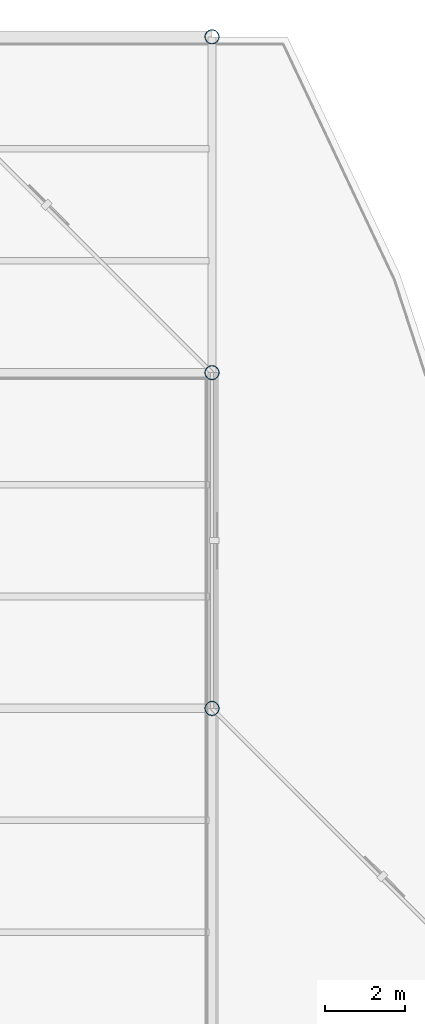
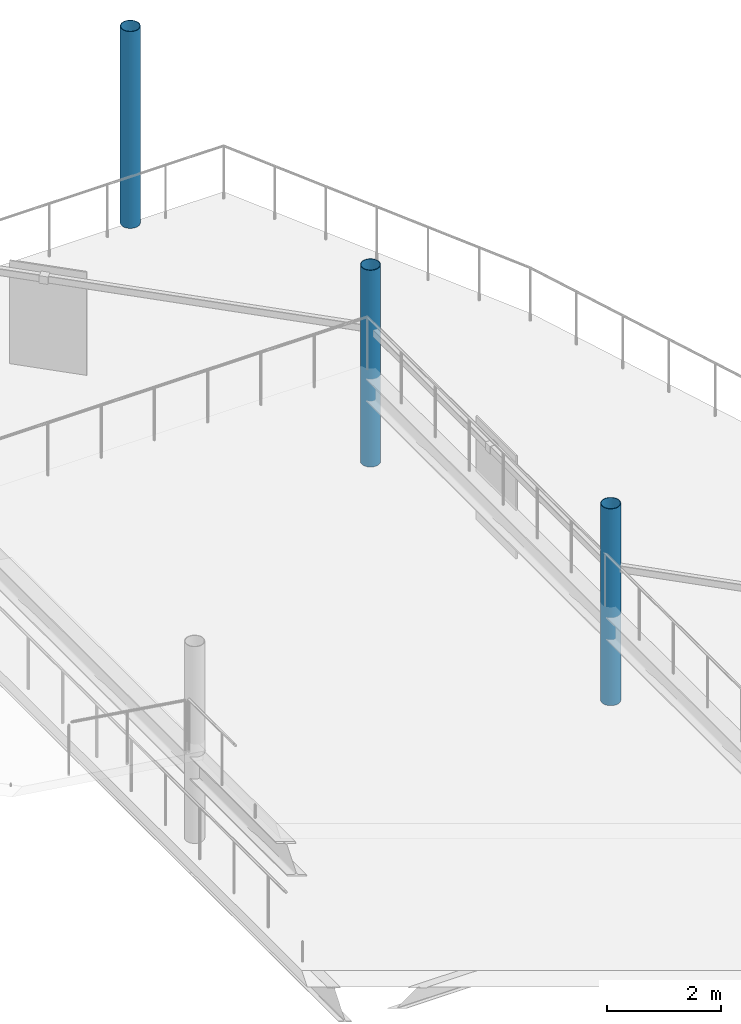
# One storey, part 21 of 184: 3 columns.
"""IFC4 building model written with IfcOpenShell, lengths in metres."""

import ifcopenshell
import ifcopenshell.guid

model = None  # the IFC model being written
_history = None  # IfcOwnerHistory: only IFC2X3 demands one
_inside = {}  # id of a spatial element -> (the spatial element, [elements in it])
_under = {}  # id of a project, library or spatial element -> (it, [spatial elements below it])
_declared = {}  # id of a project -> (the project, [libraries it declares])
_typed = {}  # id of a type object -> (the type object, [elements of that type])
_made_of = {}  # id of a material, layer set ... -> (it, [elements and type objects made of it])


def new_model(schema):
    """Start an empty IFC model of exactly this schema.

    Asked for "IFC4X3", IfcOpenShell would pick the latest addendum, in which some entities
    have other attributes; the version numbers below select the first issue.
    IFC2X3 requires an IfcOwnerHistory on every rooted entity: one is made here for all.
    """
    global model, _history
    if schema == "IFC4X3":
        model = ifcopenshell.file(schema_version=(4, 3, 0, 0))
    else:
        model = ifcopenshell.file(schema=schema)
    _inside.clear()
    _under.clear()
    _declared.clear()
    _typed.clear()
    _made_of.clear()
    _history = None
    if model.schema == "IFC2X3":
        org = make("IfcOrganization", Name="unknown")
        user = make(
            "IfcPersonAndOrganization",
            ThePerson=make("IfcPerson", FamilyName="unknown"),
            TheOrganization=org,
        )
        app = make(
            "IfcApplication",
            ApplicationDeveloper=org,
            Version="unknown",
            ApplicationFullName="unknown",
            ApplicationIdentifier="unknown",
        )
        _history = make(
            "IfcOwnerHistory",
            OwningUser=user,
            OwningApplication=app,
            ChangeAction="ADDED",
            CreationDate=0,
        )
    return model


def make(cls, **values):
    """One entity of the class cls with the attributes given. An attribute that is None is left unset."""
    return model.create_entity(
        cls, **{name: value for name, value in values.items() if value is not None}
    )


def rooted(cls, **values):
    """An entity with a GlobalId (a new one), such as an element, a storey or a relation."""
    return make(cls, GlobalId=ifcopenshell.guid.new(), OwnerHistory=_history, **values)


def si_unit(unit_type, name, prefix=None):
    """IfcSIUnit, for example si_unit("LENGTHUNIT", "METRE", prefix="MILLI")."""
    return make("IfcSIUnit", UnitType=unit_type, Prefix=prefix, Name=name)


def assignment(units):
    """IfcUnitAssignment: the units of a project."""
    return None if units is None else make("IfcUnitAssignment", Units=units)


def point(xyz):
    """IfcCartesianPoint."""
    return None if xyz is None else make("IfcCartesianPoint", Coordinates=xyz)


def direction(xyz):
    """IfcDirection."""
    return None if xyz is None else make("IfcDirection", DirectionRatios=xyz)


def frame(location, z_axis=None, x_axis=None):
    """IfcAxis2Placement3D, a coordinate frame: its origin and axes. An axis left out is left unset."""
    return make(
        "IfcAxis2Placement3D",
        Location=point(location),
        Axis=direction(z_axis),
        RefDirection=direction(x_axis),
    )


def frame_2d(location, x_axis=None):
    """IfcAxis2Placement2D, a coordinate frame in the plane: its origin and x axis."""
    return make(
        "IfcAxis2Placement2D", Location=point(location), RefDirection=direction(x_axis)
    )


def origin():
    """The frame at (0, 0, 0) with its axes left unset."""
    return frame((0.0, 0.0, 0.0))


def origin_2d():
    """The frame at (0, 0) in the plane with its x axis left unset."""
    return frame_2d((0.0, 0.0))


def place(relative_to, where):
    """IfcLocalPlacement: puts the frame where relative to a parent placement (None: the world)."""
    return make(
        "IfcLocalPlacement", PlacementRelTo=relative_to, RelativePlacement=where
    )


def context(
    kind, dimensions, precision=None, world=None, true_north=None, identifier=None
):
    """IfcGeometricRepresentationContext, for example the 3D "Model" context."""
    return make(
        "IfcGeometricRepresentationContext",
        ContextIdentifier=identifier,
        ContextType=kind,
        CoordinateSpaceDimension=dimensions,
        Precision=precision,
        WorldCoordinateSystem=world,
        TrueNorth=true_north,
    )


def subcontext(parent, identifier, kind, view, scale=None):
    """IfcGeometricRepresentationSubContext, for example "Body" below "Model"."""
    return make(
        "IfcGeometricRepresentationSubContext",
        ContextIdentifier=identifier,
        ContextType=kind,
        ParentContext=parent,
        TargetScale=scale,
        TargetView=view,
    )


def project(units=None, contexts=None):
    """IfcProject with its units and contexts."""
    return rooted(
        "IfcProject",
        Name="project",
        RepresentationContexts=contexts,
        UnitsInContext=assignment(units),
    )


def spatial(cls, under=None, at=None, **own):
    """A site, building, storey or space (cls), placed at a placement, below another one or the project."""
    s = rooted(cls, ObjectPlacement=at, **own)
    if under is not None:
        _under.setdefault(under.id(), (under, []))[1].append(s)
    return s


def profile(cls, at=None, kind="AREA", **sizes):
    """A parametric profile (cls). Its sizes go by their IFC names, for example OverallWidth=200.0."""
    return make(cls, ProfileType=kind, Position=at, **sizes)


def hollow_circle(**sizes):
    """IfcCircleHollowProfileDef."""
    return profile("IfcCircleHollowProfileDef", **sizes)


def extrude(swept, where, along, depth):
    """IfcExtrudedAreaSolid: the profile swept, set in the frame where, extruded along a direction by depth."""
    return make(
        "IfcExtrudedAreaSolid",
        SweptArea=swept,
        Position=where,
        ExtrudedDirection=direction(along),
        Depth=depth,
    )


def shape(context_of_items, identifier, shape_type, items):
    """IfcShapeRepresentation: the items that make up one representation, for example the "Body"."""
    return make(
        "IfcShapeRepresentation",
        ContextOfItems=context_of_items,
        RepresentationIdentifier=identifier,
        RepresentationType=shape_type,
        Items=items,
    )


def material(Name=None, Category=None):
    """IfcMaterial."""
    return make("IfcMaterial", Name=Name, Category=Category)


def material_profile(
    of_material, cross_section, Name=None, Category=None, Priority=None
):
    """IfcMaterialProfile: a cross section and its material."""
    return make(
        "IfcMaterialProfile",
        Name=Name,
        Material=of_material,
        Profile=cross_section,
        Priority=Priority,
        Category=Category,
    )


def profile_set(profiles, Name=None, composite=None):
    """IfcMaterialProfileSet."""
    return make(
        "IfcMaterialProfileSet",
        Name=Name,
        MaterialProfiles=profiles,
        CompositeProfile=composite,
    )


def made_of(thing, what):
    """Note that an element or type object is made of a material, layer set ...; save() writes the relation."""
    if what is not None:
        _made_of.setdefault(what.id(), (what, []))[1].append(thing)
    return thing


def type_object(cls, material=None, **own):
    """A type object (cls), such as IfcWallType, which elements share."""
    return made_of(rooted(cls, **own), material)


def element(
    cls,
    number,
    at=None,
    inside=None,
    cuts=None,
    type_object=None,
    material=None,
    context=None,
    identifier="Body",
    shape_type=None,
    held_by="IfcProductDefinitionShape",
    body=None,
    shapes=None,
    **own,
):
    """One element of the class cls, such as IfcWall. Its Tag is "e" and its number.

    at: its placement. inside: the storey or other place that contains it. cuts: it is an
    opening in that element (IfcRelVoidsElement). A single representation is given by context,
    identifier, shape_type and body (its items); several are given by shapes. held_by: the class
    of the entity that holds the representations. save() writes the other relations.
    """
    e = rooted(cls, Tag="e%d" % number, ObjectPlacement=at, **own)
    if body is not None:
        shapes = [shape(context, identifier, shape_type, body)]
    if shapes is not None:
        e.Representation = make(held_by, Representations=shapes)
    if inside is not None:
        _inside.setdefault(inside.id(), (inside, []))[1].append(e)
    if cuts is not None:
        rooted(
            "IfcRelVoidsElement", RelatingBuildingElement=cuts, RelatedOpeningElement=e
        )
    if type_object is not None:
        _typed.setdefault(type_object.id(), (type_object, []))[1].append(e)
    return made_of(e, material)


def aggregate(whole, parts):
    """IfcRelAggregates: a whole, such as a stair, and the parts it consists of."""
    return rooted("IfcRelAggregates", RelatingObject=whole, RelatedObjects=parts)


def save(model, path):
    """Write the relations noted so far, then the file.

    IfcRelAggregates (storeys below a building ...), IfcRelContainedInSpatialStructure (elements
    in a storey), IfcRelDefinesByType, IfcRelAssociatesMaterial and IfcRelDeclares: one each for
    every whole, place, type object, material and project.
    """
    for whole, parts in _under.values():
        aggregate(whole, parts)
    for where, things in _inside.values():
        rooted(
            "IfcRelContainedInSpatialStructure",
            RelatedElements=things,
            RelatingStructure=where,
        )
    for kind, things in _typed.values():
        rooted("IfcRelDefinesByType", RelatedObjects=things, RelatingType=kind)
    for what, things in _made_of.values():
        rooted("IfcRelAssociatesMaterial", RelatedObjects=things, RelatingMaterial=what)
    for by, libraries in _declared.values():
        rooted("IfcRelDeclares", RelatingContext=by, RelatedDefinitions=libraries)
    model.write(path)


model = new_model("IFC4")

# Units and contexts
model_context = context("Model", 3, precision=1e-05, world=origin(), true_north=direction((0.0, 1.0)))
body_context = subcontext(model_context, "Body", "Model", "MODEL_VIEW")
ifc_project = project(units=[si_unit("LENGTHUNIT", "METRE"), si_unit("AREAUNIT", "SQUARE_METRE"), si_unit("VOLUMEUNIT", "CUBIC_METRE"), si_unit("PLANEANGLEUNIT", "RADIAN"), si_unit("MASSUNIT", "GRAM", prefix="KILO")], contexts=[model_context])

# Site, building, storey
site_placement = place(None, origin())
site = spatial("IfcSite", under=ifc_project, at=site_placement, CompositionType="ELEMENT")
building_placement = place(site_placement, origin())
building = spatial("IfcBuilding", under=site, at=building_placement, Name="Qalvenar Corner Mobility Hub", CompositionType="ELEMENT")
storey_placement = place(building_placement, frame((0.0, 0.0, 9.0)))
storey = spatial("IfcBuildingStorey", under=building, at=storey_placement, Name="L02", CompositionType="ELEMENT", Elevation=9.0)

# Columns
ifc_material = material(Name="Steel S355", Category="steel")
ifc_material_profile = material_profile(ifc_material, hollow_circle(Radius=0.177734375, WallThickness=0.010009765625, at=origin_2d()), Name="CHS355.6x10")
ifc_profile_set = profile_set([ifc_material_profile], Name="Steel S355")
column_type = type_object("IfcColumnType", Name="COL-CHS355", PredefinedType="COLUMN", material=ifc_profile_set)
for number, where, z_axis, x_axis, name in (
    (1, (168.0, 100.800048828125, 0.0), (0.0, 0.0, 1.0), (1.0, 0.0, 0.0), "Steel Column L02-G21-12"),
    (2, (168.0, 109.199951171875, 0.0), (0.0, 0.0, 1.0), (1.0, 0.0, 0.0), "Steel Column L02-G21-13"),
    (3, (168.0, 117.60009765625, 0.0), (0.0, 0.0, 1.0), (1.0, 0.0, 0.0), "Steel Column L02-G21-14"),
):
    element("IfcColumn", number, at=place(storey_placement, frame(where, z_axis=z_axis, x_axis=x_axis)), inside=storey, type_object=column_type, Name=name, PredefinedType="COLUMN", context=body_context, shape_type="SweptSolid", body=[
        extrude(hollow_circle(Radius=0.177734375, WallThickness=0.010009765625, at=origin_2d()), origin(), (0.0, 0.0, 1.0), 4.199951171875),
    ])

save(model, "model.ifc")
